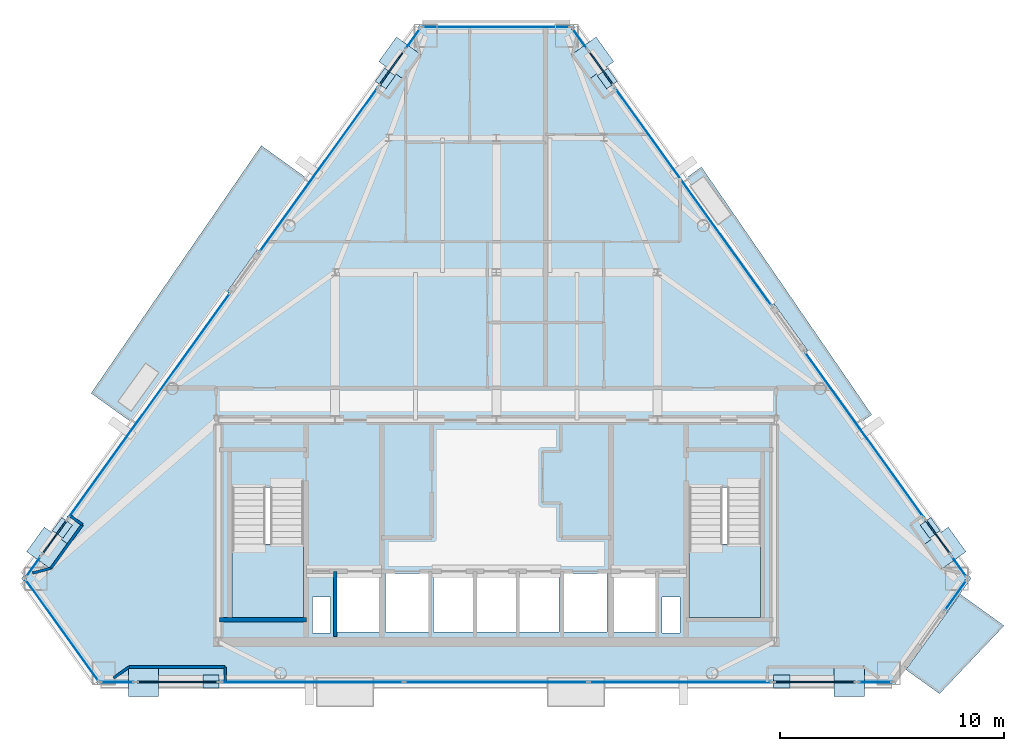
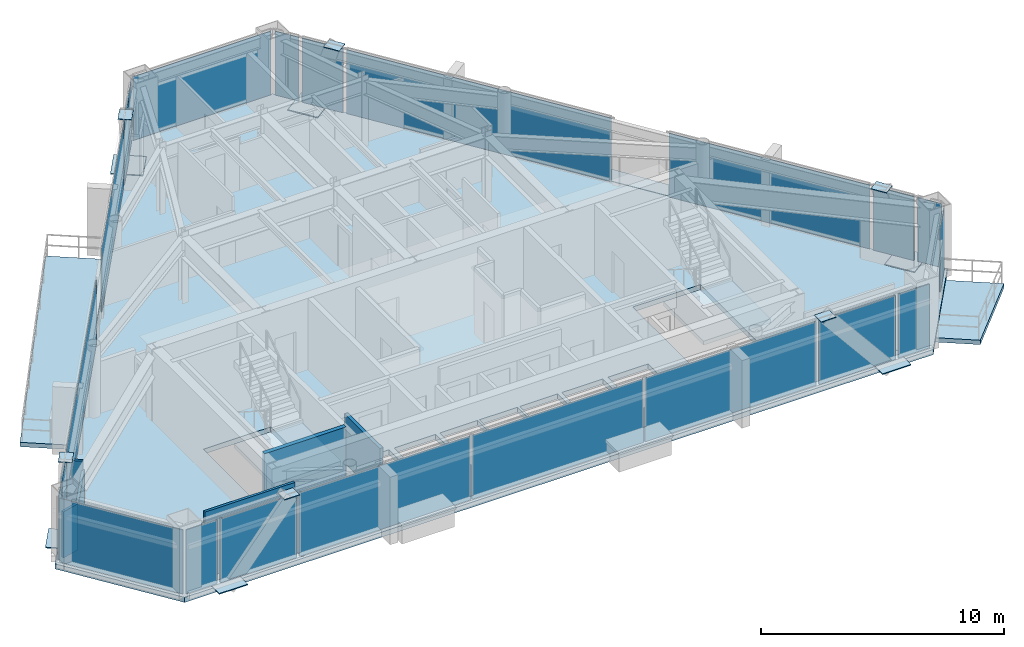
# One storey, part 6 of 11: 34 plates, 8 walls, 6 slabs, 22 elements without a shape of their own.
"""IFC4 building model written with IfcOpenShell, lengths in metres."""

import ifcopenshell
import ifcopenshell.guid

model = None  # the IFC model being written
_history = None  # IfcOwnerHistory: only IFC2X3 demands one
_inside = {}  # id of a spatial element -> (the spatial element, [elements in it])
_under = {}  # id of a project, library or spatial element -> (it, [spatial elements below it])
_declared = {}  # id of a project -> (the project, [libraries it declares])
_typed = {}  # id of a type object -> (the type object, [elements of that type])
_made_of = {}  # id of a material, layer set ... -> (it, [elements and type objects made of it])


def new_model(schema):
    """Start an empty IFC model of exactly this schema.

    Asked for "IFC4X3", IfcOpenShell would pick the latest addendum, in which some entities
    have other attributes; the version numbers below select the first issue.
    IFC2X3 requires an IfcOwnerHistory on every rooted entity: one is made here for all.
    """
    global model, _history
    if schema == "IFC4X3":
        model = ifcopenshell.file(schema_version=(4, 3, 0, 0))
    else:
        model = ifcopenshell.file(schema=schema)
    _inside.clear()
    _under.clear()
    _declared.clear()
    _typed.clear()
    _made_of.clear()
    _history = None
    if model.schema == "IFC2X3":
        org = make("IfcOrganization", Name="unknown")
        user = make(
            "IfcPersonAndOrganization",
            ThePerson=make("IfcPerson", FamilyName="unknown"),
            TheOrganization=org,
        )
        app = make(
            "IfcApplication",
            ApplicationDeveloper=org,
            Version="unknown",
            ApplicationFullName="unknown",
            ApplicationIdentifier="unknown",
        )
        _history = make(
            "IfcOwnerHistory",
            OwningUser=user,
            OwningApplication=app,
            ChangeAction="ADDED",
            CreationDate=0,
        )
    return model


def make(cls, **values):
    """One entity of the class cls with the attributes given. An attribute that is None is left unset."""
    return model.create_entity(
        cls, **{name: value for name, value in values.items() if value is not None}
    )


def rooted(cls, **values):
    """An entity with a GlobalId (a new one), such as an element, a storey or a relation."""
    return make(cls, GlobalId=ifcopenshell.guid.new(), OwnerHistory=_history, **values)


def si_unit(unit_type, name, prefix=None):
    """IfcSIUnit, for example si_unit("LENGTHUNIT", "METRE", prefix="MILLI")."""
    return make("IfcSIUnit", UnitType=unit_type, Prefix=prefix, Name=name)


def assignment(units):
    """IfcUnitAssignment: the units of a project."""
    return None if units is None else make("IfcUnitAssignment", Units=units)


def point(xyz):
    """IfcCartesianPoint."""
    return None if xyz is None else make("IfcCartesianPoint", Coordinates=xyz)


def direction(xyz):
    """IfcDirection."""
    return None if xyz is None else make("IfcDirection", DirectionRatios=xyz)


def frame(location, z_axis=None, x_axis=None):
    """IfcAxis2Placement3D, a coordinate frame: its origin and axes. An axis left out is left unset."""
    return make(
        "IfcAxis2Placement3D",
        Location=point(location),
        Axis=direction(z_axis),
        RefDirection=direction(x_axis),
    )


def frame_2d(location, x_axis=None):
    """IfcAxis2Placement2D, a coordinate frame in the plane: its origin and x axis."""
    return make(
        "IfcAxis2Placement2D", Location=point(location), RefDirection=direction(x_axis)
    )


def origin():
    """The frame at (0, 0, 0) with its axes left unset."""
    return frame((0.0, 0.0, 0.0))


def origin_2d():
    """The frame at (0, 0) in the plane with its x axis left unset."""
    return frame_2d((0.0, 0.0))


def place(relative_to, where):
    """IfcLocalPlacement: puts the frame where relative to a parent placement (None: the world)."""
    return make(
        "IfcLocalPlacement", PlacementRelTo=relative_to, RelativePlacement=where
    )


def context(
    kind, dimensions, precision=None, world=None, true_north=None, identifier=None
):
    """IfcGeometricRepresentationContext, for example the 3D "Model" context."""
    return make(
        "IfcGeometricRepresentationContext",
        ContextIdentifier=identifier,
        ContextType=kind,
        CoordinateSpaceDimension=dimensions,
        Precision=precision,
        WorldCoordinateSystem=world,
        TrueNorth=true_north,
    )


def subcontext(parent, identifier, kind, view, scale=None):
    """IfcGeometricRepresentationSubContext, for example "Body" below "Model"."""
    return make(
        "IfcGeometricRepresentationSubContext",
        ContextIdentifier=identifier,
        ContextType=kind,
        ParentContext=parent,
        TargetScale=scale,
        TargetView=view,
    )


def project(units=None, contexts=None):
    """IfcProject with its units and contexts."""
    return rooted(
        "IfcProject",
        Name="project",
        RepresentationContexts=contexts,
        UnitsInContext=assignment(units),
    )


def spatial(cls, under=None, at=None, **own):
    """A site, building, storey or space (cls), placed at a placement, below another one or the project."""
    s = rooted(cls, ObjectPlacement=at, **own)
    if under is not None:
        _under.setdefault(under.id(), (under, []))[1].append(s)
    return s


def polyline(points):
    """IfcPolyline through the points."""
    return make("IfcPolyline", Points=[point(p) for p in points])


def profile(cls, at=None, kind="AREA", **sizes):
    """A parametric profile (cls). Its sizes go by their IFC names, for example OverallWidth=200.0."""
    return make(cls, ProfileType=kind, Position=at, **sizes)


def rectangle(**sizes):
    """IfcRectangleProfileDef."""
    return profile("IfcRectangleProfileDef", **sizes)


def outline(outer, holes=None, kind="AREA"):
    """IfcArbitraryClosedProfileDef: a profile drawn as a closed curve; with holes, ...WithVoids."""
    if holes is None:
        return make("IfcArbitraryClosedProfileDef", ProfileType=kind, OuterCurve=outer)
    return make(
        "IfcArbitraryProfileDefWithVoids",
        ProfileType=kind,
        OuterCurve=outer,
        InnerCurves=holes,
    )


def extrude(swept, where, along, depth):
    """IfcExtrudedAreaSolid: the profile swept, set in the frame where, extruded along a direction by depth."""
    return make(
        "IfcExtrudedAreaSolid",
        SweptArea=swept,
        Position=where,
        ExtrudedDirection=direction(along),
        Depth=depth,
    )


def shape(context_of_items, identifier, shape_type, items):
    """IfcShapeRepresentation: the items that make up one representation, for example the "Body"."""
    return make(
        "IfcShapeRepresentation",
        ContextOfItems=context_of_items,
        RepresentationIdentifier=identifier,
        RepresentationType=shape_type,
        Items=items,
    )


def source(mapping_origin, context_of_items, identifier, shape_type, items):
    """IfcRepresentationMap: a shape defined once, which mapped items show again and again."""
    return make(
        "IfcRepresentationMap",
        MappingOrigin=mapping_origin,
        MappedRepresentation=shape(context_of_items, identifier, shape_type, items),
    )


def transform(
    local_origin,
    x_axis=None,
    y_axis=None,
    z_axis=None,
    scale=None,
    scale2=None,
    scale3=None,
    uniform=True,
):
    """IfcCartesianTransformationOperator3D, or its non-uniform kind. x_axis, y_axis, z_axis: its Axis1, 2, 3."""
    if uniform:
        return make(
            "IfcCartesianTransformationOperator3D",
            Axis1=direction(x_axis),
            Axis2=direction(y_axis),
            LocalOrigin=point(local_origin),
            Scale=scale,
            Axis3=direction(z_axis),
        )
    return make(
        "IfcCartesianTransformationOperator3DnonUniform",
        Axis1=direction(x_axis),
        Axis2=direction(y_axis),
        LocalOrigin=point(local_origin),
        Scale=scale,
        Axis3=direction(z_axis),
        Scale2=scale2,
        Scale3=scale3,
    )


def mapped(mapping_source, mapping_target):
    """IfcMappedItem: shows the shape of a source again, moved by a transform."""
    return make(
        "IfcMappedItem", MappingSource=mapping_source, MappingTarget=mapping_target
    )


def material(Name=None, Category=None):
    """IfcMaterial."""
    return make("IfcMaterial", Name=Name, Category=Category)


def layer(
    of_material, thickness, ventilated=None, Name=None, Category=None, Priority=None
):
    """IfcMaterialLayer: one layer of a wall or slab, of a material (None: an air gap)."""
    return make(
        "IfcMaterialLayer",
        Material=of_material,
        LayerThickness=thickness,
        IsVentilated=ventilated,
        Name=Name,
        Category=Category,
        Priority=Priority,
    )


def layer_set(layers, Name=None):
    """IfcMaterialLayerSet."""
    return make("IfcMaterialLayerSet", MaterialLayers=layers, LayerSetName=Name)


def made_of(thing, what):
    """Note that an element or type object is made of a material, layer set ...; save() writes the relation."""
    if what is not None:
        _made_of.setdefault(what.id(), (what, []))[1].append(thing)
    return thing


def type_object(cls, material=None, **own):
    """A type object (cls), such as IfcWallType, which elements share."""
    return made_of(rooted(cls, **own), material)


def type_shapes(of_type, sources):
    """Give a type object the sources (RepresentationMaps) that its elements show as mapped items."""
    of_type.RepresentationMaps = sources


def element(
    cls,
    number,
    at=None,
    inside=None,
    cuts=None,
    type_object=None,
    material=None,
    context=None,
    identifier="Body",
    shape_type=None,
    held_by="IfcProductDefinitionShape",
    body=None,
    shapes=None,
    **own,
):
    """One element of the class cls, such as IfcWall. Its Tag is "e" and its number.

    at: its placement. inside: the storey or other place that contains it. cuts: it is an
    opening in that element (IfcRelVoidsElement). A single representation is given by context,
    identifier, shape_type and body (its items); several are given by shapes. held_by: the class
    of the entity that holds the representations. save() writes the other relations.
    """
    e = rooted(cls, Tag="e%d" % number, ObjectPlacement=at, **own)
    if body is not None:
        shapes = [shape(context, identifier, shape_type, body)]
    if shapes is not None:
        e.Representation = make(held_by, Representations=shapes)
    if inside is not None:
        _inside.setdefault(inside.id(), (inside, []))[1].append(e)
    if cuts is not None:
        rooted(
            "IfcRelVoidsElement", RelatingBuildingElement=cuts, RelatedOpeningElement=e
        )
    if type_object is not None:
        _typed.setdefault(type_object.id(), (type_object, []))[1].append(e)
    return made_of(e, material)


def aggregate(whole, parts):
    """IfcRelAggregates: a whole, such as a stair, and the parts it consists of."""
    return rooted("IfcRelAggregates", RelatingObject=whole, RelatedObjects=parts)


def save(model, path):
    """Write the relations noted so far, then the file.

    IfcRelAggregates (storeys below a building ...), IfcRelContainedInSpatialStructure (elements
    in a storey), IfcRelDefinesByType, IfcRelAssociatesMaterial and IfcRelDeclares: one each for
    every whole, place, type object, material and project.
    """
    for whole, parts in _under.values():
        aggregate(whole, parts)
    for where, things in _inside.values():
        rooted(
            "IfcRelContainedInSpatialStructure",
            RelatedElements=things,
            RelatingStructure=where,
        )
    for kind, things in _typed.values():
        rooted("IfcRelDefinesByType", RelatedObjects=things, RelatingType=kind)
    for what, things in _made_of.values():
        rooted("IfcRelAssociatesMaterial", RelatedObjects=things, RelatingMaterial=what)
    for by, libraries in _declared.values():
        rooted("IfcRelDeclares", RelatingContext=by, RelatedDefinitions=libraries)
    model.write(path)


model = new_model("IFC4")

# Units and contexts
model_context = context("Model", 3, precision=1e-05, world=origin(), true_north=direction((0.0, 1.0)))
body_context = subcontext(model_context, "Body", "Model", "MODEL_VIEW")
ifc_project = project(units=[si_unit("LENGTHUNIT", "METRE"), si_unit("AREAUNIT", "SQUARE_METRE"), si_unit("VOLUMEUNIT", "CUBIC_METRE"), si_unit("PLANEANGLEUNIT", "RADIAN"), si_unit("MASSUNIT", "GRAM", prefix="KILO")], contexts=[model_context])

# Site, building, storey
site_placement = place(None, origin())
site = spatial("IfcSite", under=ifc_project, at=site_placement, CompositionType="ELEMENT")
building_placement = place(site_placement, origin())
building = spatial("IfcBuilding", under=site, at=building_placement, Name="Talgorran Terracotta Tower", CompositionType="ELEMENT")
storey_placement = place(building_placement, frame((0.0, 0.0, 207.300048828125)))
storey = spatial("IfcBuildingStorey", under=building, at=storey_placement, Name="L54", CompositionType="ELEMENT", Elevation=207.300048828125)

# Plates
ifc_material_1 = material(Name="Steel Grade 350 (350L0)", Category="steel")
ifc_layer_1 = layer(ifc_material_1, 0.031982421875, Name="PL_CAP_MN07")
ifc_layer_set_1 = layer_set([ifc_layer_1], Name="Steel Grade 350 (350L0)")
plate_type_1 = type_object("IfcPlateType", Name="PL_CAP_MN07", PredefinedType="USERDEFINED", material=ifc_layer_set_1)
for number, where, z_axis, x_axis, name in (
    (1, (-12.740478515625, -15.856689453125, 3.31884765625), (0.0, 0.0, 1.0), (1.0, 0.0, 0.0), "L54 Diagonal Frame End Cap SWF Top"),
    (2, (12.740478515625, -15.856689453125, 3.31884765625), (0.0, 0.0, 1.0), (-1.0, 0.0, 0.0), "L54 Diagonal Frame End Cap SEF Top"),
    (3, (19.36669921875, -9.00830078125, 3.31884765625), (0.0, 0.0, 1.0), (-0.583541211356, 0.812083526892, 0.0), "L54 Diagonal Frame End Cap NEL Top"),
    (4, (4.9541015625, 11.04833984375, 3.31884765625), (0.0, 0.0, 1.0), (0.583682937781, -0.811981667369, 0.0), "L54 Diagonal Frame End Cap NEU Top"),
    (5, (-4.9541015625, 11.04833984375, 3.31884765625), (0.0, 0.0, 1.0), (-0.583682937781, -0.811981667369, 0.0), "L54 Diagonal Frame End Cap NWU Top"),
    (6, (-19.36669921875, -9.00830078125, 3.31884765625), (0.0, 0.0, 1.0), (0.583682937781, 0.811981667369, 0.0), "L54 Diagonal Frame End Cap NWL Top"),
):
    element("IfcPlate", number, at=place(storey_placement, frame(where, z_axis=z_axis, x_axis=x_axis)), inside=storey, type_object=plate_type_1, Name=name, ObjectType="CAP PLATE", PredefinedType="USERDEFINED", context=body_context, shape_type="SweptSolid", body=[
        extrude(rectangle(XDim=0.719970703125, YDim=0.580078125, at=origin_2d()), origin(), (0.0, 0.0, 1.0), 0.031982421875),
    ])
ifc_layer_2 = layer(ifc_material_1, 0.050048828125, Name="PL_NODE_MN03")
ifc_layer_set_2 = layer_set([ifc_layer_2], Name="Steel Grade 350 (350L0)")
plate_type_2 = type_object("IfcPlateType", Name="PL_NODE_MN03", PredefinedType="USERDEFINED", material=ifc_layer_set_2)
for number, where, z_axis, x_axis, name in (
    (7, (-15.748779296875, -15.856689453125, -0.01513671875), (0.0, 0.0, 1.0), (1.0, 0.0, 0.0), "L54 Diagonal Frame End Cap SWF Bot"),
    (8, (15.748779296875, -15.856689453125, -0.01513671875), (0.0, 0.0, 1.0), (-1.0, 0.0, 0.0), "L54 Diagonal Frame End Cap SEF Bot"),
    (9, (20.020263671875, -9.917724609375, -0.01513671875), (0.0, 0.0, 1.0), (-0.583541211356, 0.812083526892, 0.0), "L54 Diagonal Frame End Cap NEL Bot"),
    (10, (4.300537109375, 11.957763671875, -0.01513671875), (0.0, 0.0, 1.0), (0.583682937781, -0.811981667369, 0.0), "L54 Diagonal Frame End Cap NEU Bot"),
    (11, (-4.300537109375, 11.957763671875, -0.01513671875), (0.0, 0.0, 1.0), (-0.583682937781, -0.811981667369, 0.0), "L54 Diagonal Frame End Cap NWU Bot"),
    (12, (-20.020263671875, -9.917724609375, -0.01513671875), (0.0, 0.0, 1.0), (0.583682937781, 0.811981667369, 0.0), "L54 Diagonal Frame End Cap NWL Bot"),
):
    element("IfcPlate", number, at=place(storey_placement, frame(where, z_axis=z_axis, x_axis=x_axis)), inside=storey, type_object=plate_type_2, Name=name, ObjectType="NODE PLATE", PredefinedType="USERDEFINED", context=body_context, shape_type="SweptSolid", body=[
        extrude(rectangle(XDim=1.35009765625, YDim=1.35009765625, at=origin_2d()), origin(), (0.0, 0.0, 1.0), 0.050048828125),
    ])

# Slabs
ifc_material_2 = material(Name="Concrete C40/50", Category="concrete")
ifc_layer_3 = layer(ifc_material_2, 0.219970703125, Name="SL_BALCONY_220")
ifc_layer_set_3 = layer_set([ifc_layer_3], Name="Concrete C40/50")
slab_type_1 = type_object("IfcSlabType", Name="SL_BALCONY_220", PredefinedType="FLOOR", material=ifc_layer_set_3)
slab_1_placement = place(storey_placement, frame((0.0, 0.0, -0.219970703125)))
element("IfcSlab", 13, at=slab_1_placement, inside=storey, type_object=slab_type_1, Name="L54 Outdoor Wave Balcony BAL-NE", PredefinedType="FLOOR", context=body_context, shape_type="SweptSolid", body=[
    extrude(outline(polyline([(8.401123046875, 6.551513671875), (16.22314453125, -4.333984375), (16.7509765625, -3.95458984375), (9.15869140625, 7.095703125), (8.401123046875, 6.551513671875)])), origin(), (0.0, 0.0, 1.0), 0.219970703125),
])
slab_2_placement = place(storey_placement, frame((0.0, 0.0, -0.219970703125)))
element("IfcSlab", 14, at=slab_2_placement, inside=storey, type_object=slab_type_1, Name="L54 Outdoor Wave Balcony BAL-NW", PredefinedType="FLOOR", context=body_context, shape_type="SweptSolid", body=[
    extrude(outline(polyline([(-16.22314453125, -4.333740234375), (-8.401123046875, 6.55126953125), (-10.48828125, 8.05126953125), (-18.080810546875, -2.9990234375), (-16.22314453125, -4.333740234375)])), origin(), (0.0, 0.0, 1.0), 0.219970703125),
])
slab_3_placement = place(storey_placement, frame((0.0, 0.0, -0.219970703125)))
element("IfcSlab", 15, at=slab_3_placement, inside=storey, type_object=slab_type_1, Name="L54 Outdoor Wave Balcony BAL-SE", PredefinedType="FLOOR", context=body_context, shape_type="SweptSolid", body=[
    extrude(outline(polyline([(20.704833984375, -11.968505859375), (18.28564453125, -15.335205078125), (19.781982421875, -16.41064453125), (22.66064453125, -13.3740234375), (20.704833984375, -11.968505859375)])), origin(), (0.0, 0.0, 1.0), 0.219970703125),
])

# Stair, slab
stair_type = type_object("IfcStairType", Name="ST_FIRE_SCISSOR", PredefinedType="HALF_TURN_STAIR", material=ifc_material_2)
stair_1_placement = place(storey_placement, origin())
stair_1 = element("IfcStair", 16, at=stair_1_placement, inside=storey, type_object=stair_type, Name="L54 West Protected Fire Stair ST-01", PredefinedType="HALF_TURN_STAIR")
ifc_layer_4 = layer(ifc_material_2, 0.199951171875, Name="SL_LANDING_200")
ifc_layer_set_4 = layer_set([ifc_layer_4], Name="Concrete C40/50")
slab_type_2 = type_object("IfcSlabType", Name="SL_LANDING_200", PredefinedType="LANDING", material=ifc_layer_set_4)
slab_4_placement = place(storey_placement, frame((0.0, 0.0, 1.599853515625)))
slab_4 = element("IfcSlab", 17, at=slab_4_placement, type_object=slab_type_2, Name="ST-01 landing 1", PredefinedType="LANDING", context=body_context, shape_type="SweptSolid", body=[
    extrude(outline(polyline([(-11.800048828125, -9.719970703125), (-11.800048828125, -13.0), (-8.60009765625, -13.0), (-8.60009765625, -9.719970703125), (-11.800048828125, -9.719970703125)])), origin(), (0.0, 0.0, 1.0), 0.2001953125),
])
aggregate(stair_1, [slab_4])

stair_2_placement = place(storey_placement, origin())
stair_2 = element("IfcStair", 18, at=stair_2_placement, inside=storey, type_object=stair_type, Name="L54 East Protected Fire Stair ST-02", PredefinedType="HALF_TURN_STAIR")
slab_5_placement = place(storey_placement, frame((0.0, 0.0, 1.599853515625)))
slab_5 = element("IfcSlab", 19, at=slab_5_placement, type_object=slab_type_2, Name="ST-02 landing 1", PredefinedType="LANDING", context=body_context, shape_type="SweptSolid", body=[
    extrude(outline(polyline([(8.60009765625, -9.719970703125), (8.60009765625, -13.0), (11.800048828125, -13.0), (11.800048828125, -9.719970703125), (8.60009765625, -9.719970703125)])), origin(), (0.0, 0.0, 1.0), 0.2001953125),
])
aggregate(stair_2, [slab_5])

# Slab
ifc_layer_5 = layer(ifc_material_2, 0.2548828125, Name="SL_TOWER_235")
ifc_layer_set_5 = layer_set([ifc_layer_5], Name="Concrete C40/50")
slab_type_3 = type_object("IfcSlabType", Name="SL_TOWER_235", PredefinedType="FLOOR", material=ifc_layer_set_5)
slab_6_placement = place(storey_placement, frame((0.0, 0.0, -0.255126953125)))
element("IfcSlab", 20, at=slab_6_placement, inside=storey, type_object=slab_type_3, Name="Storey L54 Structural Floor Slab", PredefinedType="FLOOR", context=body_context, shape_type="SweptSolid", body=[
    extrude(outline(polyline([(-21.188720703125, -11.26953125), (-17.77734375, -16.0166015625), (17.77734375, -16.0166015625), (21.188720703125, -11.26953125), (3.411376953125, 13.469482421875), (-3.411376953125, 13.469482421875), (-21.188720703125, -11.26953125)]), holes=[polyline([(-11.800048828125, -7.199951171875), (-11.800048828125, -13.0), (-8.60009765625, -13.0), (-8.60009765625, -7.199951171875), (-11.800048828125, -7.199951171875)]), polyline([(8.60009765625, -7.199951171875), (8.60009765625, -13.0), (11.800048828125, -13.0), (11.800048828125, -7.199951171875), (8.60009765625, -7.199951171875)]), polyline([(-7.10009765625, -13.64990234375), (-5.199951171875, -13.64990234375), (-5.199951171875, -11.050048828125), (-7.10009765625, -11.050048828125), (-7.10009765625, -13.64990234375)]), polyline([(5.199951171875, -13.64990234375), (7.10009765625, -13.64990234375), (7.10009765625, -11.050048828125), (5.199951171875, -11.050048828125), (5.199951171875, -13.64990234375)]), polyline([(3.0, -13.64990234375), (4.949951171875, -13.64990234375), (4.949951171875, -11.050048828125), (3.0, -11.050048828125), (3.0, -13.64990234375)]), polyline([(-4.949951171875, -13.64990234375), (-3.0, -13.64990234375), (-3.0, -11.050048828125), (-4.949951171875, -11.050048828125), (-4.949951171875, -13.64990234375)]), polyline([(-2.800048828125, -13.64990234375), (-1.0, -13.64990234375), (-1.0, -11.050048828125), (-2.800048828125, -11.050048828125), (-2.800048828125, -13.64990234375)]), polyline([(-0.89990234375, -13.64990234375), (0.89990234375, -13.64990234375), (0.89990234375, -11.050048828125), (-0.89990234375, -11.050048828125), (-0.89990234375, -13.64990234375)]), polyline([(1.0, -13.64990234375), (2.800048828125, -13.64990234375), (2.800048828125, -11.050048828125), (1.0, -11.050048828125), (1.0, -13.64990234375)]), polyline([(-8.199951171875, -13.699951171875), (-7.39990234375, -13.699951171875), (-7.39990234375, -12.10009765625), (-8.199951171875, -12.10009765625), (-8.199951171875, -13.699951171875)]), polyline([(7.39990234375, -13.699951171875), (8.199951171875, -13.699951171875), (8.199951171875, -12.10009765625), (7.39990234375, -12.10009765625), (7.39990234375, -13.699951171875)])]), origin(), (0.0, 0.0, 1.0), 0.255126953125),
])

# Curtain wall, plate
ifc_material_3 = material(Name="High-Wind Unitised Glazing", Category="glass")
ifc_layer_6 = layer(ifc_material_3, 0.2099609375, Name="CW_SYS3_RES_HIGH")
ifc_layer_set_6 = layer_set([ifc_layer_6], Name="High-Wind Unitised Glazing")
curtain_wall_type = type_object("IfcCurtainWallType", Name="CW_SYS3_RES_HIGH", PredefinedType="NOTDEFINED", material=ifc_layer_set_6)
curtain_wall_1_placement = place(storey_placement, origin())
curtain_wall_1 = element("IfcCurtainWall", 21, at=curtain_wall_1_placement, inside=storey, type_object=curtain_wall_type, Name="CW-L54-F31", PredefinedType="NOTDEFINED")
ifc_material_4 = material(Name="High-Wind Acoustic Vision Glass", Category="glass")
ifc_layer_7 = layer(ifc_material_4, 0.031982421875, Name="PLT_VISION_32")
ifc_layer_set_7 = layer_set([ifc_layer_7], Name="High-Wind Acoustic Vision Glass")
plate_type_3 = type_object("IfcPlateType", Name="PLT_VISION_32", PredefinedType="CURTAIN_PANEL", material=ifc_layer_set_7)
shared_shape_1 = source(origin(), body_context, "Body", "SweptSolid", [
    extrude(rectangle(XDim=1.634765625, YDim=0.031982421875, at=origin_2d()), origin(), (0.0, 0.0, 1.0), 3.205078125),
])
plate_1_placement = place(storey_placement, frame((20.499755859375, -12.022705078125, 0.06982421875), z_axis=(0.0, 0.0, 1.0), x_axis=(0.583575673219, 0.812058762422, 0.0)))
plate_1 = element("IfcPlate", 22, at=plate_1_placement, type_object=plate_type_3, Name="CW-L54-31 panel 1.1", PredefinedType="CURTAIN_PANEL", context=body_context, shape_type="MappedRepresentation", body=[
    mapped(shared_shape_1, transform((0.0, 0.0, 0.0), scale=1.0)),
])
aggregate(curtain_wall_1, [plate_1])

curtain_wall_2_placement = place(storey_placement, origin())
curtain_wall_2 = element("IfcCurtainWall", 23, at=curtain_wall_2_placement, inside=storey, type_object=curtain_wall_type, Name="CW-L54-F0", PredefinedType="NOTDEFINED")
shared_shape_2 = source(origin(), body_context, "Body", "SweptSolid", [
    extrude(rectangle(XDim=5.557861328125, YDim=0.031982421875, at=origin_2d()), origin(), (0.0, 0.0, 1.0), 3.205078125),
])
plate_2_placement = place(storey_placement, frame((-19.37841796875, -13.583251953125, 0.06982421875), z_axis=(0.0, 0.0, 1.0), x_axis=(0.58355178486, -0.812075928954, 0.0)))
plate_2 = element("IfcPlate", 24, at=plate_2_placement, type_object=plate_type_3, Name="CW-L54-0 panel 1.1", PredefinedType="CURTAIN_PANEL", context=body_context, shape_type="MappedRepresentation", body=[
    mapped(shared_shape_2, transform((0.0, 0.0, 0.0), scale=1.0)),
])
aggregate(curtain_wall_2, [plate_2])

curtain_wall_3_placement = place(storey_placement, origin())
curtain_wall_3 = element("IfcCurtainWall", 25, at=curtain_wall_3_placement, inside=storey, type_object=curtain_wall_type, Name="CW-L54-F4", PredefinedType="NOTDEFINED")
shared_shape_3 = source(origin(), body_context, "Body", "SweptSolid", [
    extrude(rectangle(XDim=6.5595703125, YDim=0.031982421875, at=origin_2d()), origin(), (0.0, 0.0, 1.0), 3.205078125),
])
plate_3_placement = place(storey_placement, frame((0.0, 13.349609375, 0.06982421875), z_axis=(0.0, 0.0, 1.0), x_axis=(-1.0, 0.0, 0.0)))
plate_3 = element("IfcPlate", 26, at=plate_3_placement, type_object=plate_type_3, Name="CW-L54-4 panel 1.1", PredefinedType="CURTAIN_PANEL", context=body_context, shape_type="MappedRepresentation", body=[
    mapped(shared_shape_3, transform((0.0, 0.0, 0.0), scale=1.0)),
])
aggregate(curtain_wall_3, [plate_3])

curtain_wall_4_placement = place(storey_placement, origin())
curtain_wall_4 = element("IfcCurtainWall", 27, at=curtain_wall_4_placement, inside=storey, type_object=curtain_wall_type, Name="CW-L54-F1", PredefinedType="NOTDEFINED")
shared_shape_4 = source(origin(), body_context, "Body", "SweptSolid", [
    extrude(rectangle(XDim=1.47119140625, YDim=0.031982421875, at=origin_2d()), origin(), (0.0, 0.0, 1.0), 3.205078125),
])
plate_4_placement = place(storey_placement, frame((-16.910400390625, -15.896728515625, 0.06982421875), z_axis=(0.0, 0.0, 1.0), x_axis=(1.0, 0.0, 0.0)))
plate_4 = element("IfcPlate", 28, at=plate_4_placement, type_object=plate_type_3, Name="CW-L54-1 panel 1.1", PredefinedType="CURTAIN_PANEL", context=body_context, shape_type="MappedRepresentation", body=[
    mapped(shared_shape_4, transform((0.0, 0.0, 0.0), scale=1.0)),
])
aggregate(curtain_wall_4, [plate_4])

curtain_wall_5_placement = place(storey_placement, origin())
curtain_wall_5 = element("IfcCurtainWall", 29, at=curtain_wall_5_placement, inside=storey, type_object=curtain_wall_type, Name="CW-L54-F1E", PredefinedType="NOTDEFINED")
plate_5_placement = place(storey_placement, frame((16.910400390625, -15.896728515625, 0.06982421875), z_axis=(0.0, 0.0, 1.0), x_axis=(1.0, 0.0, 0.0)))
plate_5 = element("IfcPlate", 30, at=plate_5_placement, type_object=plate_type_3, Name="CW-L54-1E panel 1.1", PredefinedType="CURTAIN_PANEL", context=body_context, shape_type="MappedRepresentation", body=[
    mapped(shared_shape_4, transform((0.0, 0.0, 0.0), scale=1.0)),
])
aggregate(curtain_wall_5, [plate_5])

curtain_wall_6_placement = place(storey_placement, origin())
curtain_wall_6 = element("IfcCurtainWall", 31, at=curtain_wall_6_placement, inside=storey, type_object=curtain_wall_type, Name="CW-L54-F1B", PredefinedType="NOTDEFINED")
ifc_material_5 = material(Name="Terracotta Insulated Spandrel", Category="masonry")
ifc_layer_8 = layer(ifc_material_5, 0.06494140625, Name="PLT_SPANDREL_TERRA")
ifc_layer_set_8 = layer_set([ifc_layer_8], Name="Terracotta Insulated Spandrel")
plate_type_4 = type_object("IfcPlateType", Name="PLT_SPANDREL_TERRA", PredefinedType="SHEET", material=ifc_layer_set_8)
shared_shape_5 = source(origin(), body_context, "Body", "SweptSolid", [
    extrude(rectangle(XDim=3.613525390625, YDim=0.06494140625, at=origin_2d()), origin(), (0.0, 0.0, 1.0), 3.205078125),
])
plate_6_placement = place(storey_placement, frame((-14.218017578125, -15.896728515625, 0.06982421875), z_axis=(0.0, 0.0, 1.0), x_axis=(1.0, 0.0, 0.0)))
plate_6 = element("IfcPlate", 32, at=plate_6_placement, type_object=plate_type_4, Name="CW-L54-1B panel 1.1", PredefinedType="CURTAIN_PANEL", context=body_context, shape_type="MappedRepresentation", body=[
    mapped(shared_shape_5, transform((0.0, 0.0, 0.0), scale=1.0)),
])
aggregate(curtain_wall_6, [plate_6])

curtain_wall_7_placement = place(storey_placement, origin())
curtain_wall_7 = element("IfcCurtainWall", 33, at=curtain_wall_7_placement, inside=storey, type_object=curtain_wall_type, Name="CW-L54-F1D", PredefinedType="NOTDEFINED")
plate_7_placement = place(storey_placement, frame((14.218017578125, -15.896728515625, 0.06982421875), z_axis=(0.0, 0.0, 1.0), x_axis=(1.0, 0.0, 0.0)))
plate_7 = element("IfcPlate", 34, at=plate_7_placement, type_object=plate_type_4, Name="CW-L54-1D panel 1.1", PredefinedType="CURTAIN_PANEL", context=body_context, shape_type="MappedRepresentation", body=[
    mapped(shared_shape_5, transform((0.0, 0.0, 0.0), scale=1.0)),
])
aggregate(curtain_wall_7, [plate_7])

# Curtain wall, plates
curtain_wall_8_placement = place(storey_placement, origin())
curtain_wall_8 = element("IfcCurtainWall", 35, at=curtain_wall_8_placement, inside=storey, type_object=curtain_wall_type, Name="CW-L54-F1C", PredefinedType="NOTDEFINED")
shared_shape_6 = source(origin(), body_context, "Body", "SweptSolid", [
    extrude(rectangle(XDim=8.11572265625, YDim=0.031982421875, at=origin_2d()), origin(), (0.0, 0.0, 1.0), 3.205078125),
])
plate_8_placement = place(storey_placement, frame((-8.203125, -15.896728515625, 0.06982421875), z_axis=(0.0, 0.0, 1.0), x_axis=(1.0, 0.0, 0.0)))
plate_8 = element("IfcPlate", 36, at=plate_8_placement, type_object=plate_type_3, Name="CW-L54-1C panel 1.1", PredefinedType="CURTAIN_PANEL", context=body_context, shape_type="MappedRepresentation", body=[
    mapped(shared_shape_6, transform((0.0, 0.0, 0.0), scale=1.0)),
])
plate_9_placement = place(storey_placement, frame((8.203125, -15.896728515625, 0.06982421875), z_axis=(0.0, 0.0, 1.0), x_axis=(1.0, 0.0, 0.0)))
plate_9 = element("IfcPlate", 37, at=plate_9_placement, type_object=plate_type_3, Name="CW-L54-1C panel 3.1", PredefinedType="CURTAIN_PANEL", context=body_context, shape_type="MappedRepresentation", body=[
    mapped(shared_shape_6, transform((0.0, 0.0, 0.0), scale=1.0)),
])
shared_shape_7 = source(origin(), body_context, "Body", "SweptSolid", [
    extrude(rectangle(XDim=8.150634765625, YDim=0.031982421875, at=origin_2d()), origin(), (0.0, 0.0, 1.0), 3.205078125),
])
plate_10_placement = place(storey_placement, frame((0.0, -15.896728515625, 0.06982421875), z_axis=(0.0, 0.0, 1.0), x_axis=(1.0, 0.0, 0.0)))
plate_10 = element("IfcPlate", 38, at=plate_10_placement, type_object=plate_type_3, Name="CW-L54-1C panel 2.1", PredefinedType="CURTAIN_PANEL", context=body_context, shape_type="MappedRepresentation", body=[
    mapped(shared_shape_7, transform((0.0, 0.0, 0.0), scale=1.0)),
])
aggregate(curtain_wall_8, [plate_8, plate_10, plate_9])

# Curtain wall, plate
curtain_wall_9_placement = place(storey_placement, origin())
curtain_wall_9 = element("IfcCurtainWall", 39, at=curtain_wall_9_placement, inside=storey, type_object=curtain_wall_type, Name="CW-L54-F40", PredefinedType="NOTDEFINED")
shared_shape_8 = source(origin(), body_context, "Body", "SweptSolid", [
    extrude(rectangle(XDim=1.09765625, YDim=0.031982421875, at=origin_2d()), origin(), (0.0, 0.0, 1.0), 3.205078125),
])
plate_11_placement = place(storey_placement, frame((20.656494140625, -10.734619140625, 0.06982421875), z_axis=(0.0, 0.0, 1.0), x_axis=(-0.58357444957, 0.812059641781, 0.0)))
plate_11 = element("IfcPlate", 40, at=plate_11_placement, type_object=plate_type_3, Name="CW-L54-40 panel 1.1", PredefinedType="CURTAIN_PANEL", context=body_context, shape_type="MappedRepresentation", body=[
    mapped(shared_shape_8, transform((0.0, 0.0, 0.0), scale=1.0)),
])
aggregate(curtain_wall_9, [plate_11])

curtain_wall_10_placement = place(storey_placement, origin())
curtain_wall_10 = element("IfcCurtainWall", 41, at=curtain_wall_10_placement, inside=storey, type_object=curtain_wall_type, Name="CW-L54-F61C", PredefinedType="NOTDEFINED")
plate_12_placement = place(storey_placement, frame((-20.656494140625, -10.734619140625, 0.06982421875), z_axis=(0.0, 0.0, 1.0), x_axis=(-0.583521166985, -0.812097929859, 0.0)))
plate_12 = element("IfcPlate", 42, at=plate_12_placement, type_object=plate_type_3, Name="CW-L54-61C panel 1.1", PredefinedType="CURTAIN_PANEL", context=body_context, shape_type="MappedRepresentation", body=[
    mapped(shared_shape_8, transform((0.0, 0.0, 0.0), scale=1.0)),
])
aggregate(curtain_wall_10, [plate_12])

curtain_wall_11_placement = place(storey_placement, origin())
curtain_wall_11 = element("IfcCurtainWall", 43, at=curtain_wall_11_placement, inside=storey, type_object=curtain_wall_type, Name="CW-L54-F40B", PredefinedType="NOTDEFINED")
shared_shape_9 = source(origin(), body_context, "Body", "SweptSolid", [
    extrude(rectangle(XDim=1.845947265625, YDim=0.06494140625, at=origin_2d()), origin(), (0.0, 0.0, 1.0), 3.205078125),
])
plate_13_placement = place(storey_placement, frame((19.7099609375, -9.41748046875, 0.06982421875), z_axis=(0.0, 0.0, 1.0), x_axis=(-0.583569646249, 0.812063093594, 0.0)))
plate_13 = element("IfcPlate", 44, at=plate_13_placement, type_object=plate_type_4, Name="CW-L54-40B panel 1.1", PredefinedType="CURTAIN_PANEL", context=body_context, shape_type="MappedRepresentation", body=[
    mapped(shared_shape_9, transform((0.0, 0.0, 0.0), scale=1.0)),
])
aggregate(curtain_wall_11, [plate_13])

curtain_wall_12_placement = place(storey_placement, origin())
curtain_wall_12 = element("IfcCurtainWall", 45, at=curtain_wall_12_placement, inside=storey, type_object=curtain_wall_type, Name="CW-L54-F40C", PredefinedType="NOTDEFINED")
shared_shape_10 = source(origin(), body_context, "Body", "SweptSolid", [
    extrude(rectangle(XDim=9.064697265625, YDim=0.031982421875, at=origin_2d()), origin(), (0.0, 0.0, 1.0), 3.205078125),
])
plate_14_placement = place(storey_placement, frame((16.43896484375, -4.865478515625, 0.06982421875), z_axis=(0.0, 0.0, 1.0), x_axis=(-0.583553219406, 0.812074898098, 0.0)))
plate_14 = element("IfcPlate", 46, at=plate_14_placement, type_object=plate_type_3, Name="CW-L54-40C panel 1.1", PredefinedType="CURTAIN_PANEL", context=body_context, shape_type="MappedRepresentation", body=[
    mapped(shared_shape_10, transform((0.0, 0.0, 0.0), scale=1.0)),
])
aggregate(curtain_wall_12, [plate_14])

curtain_wall_13_placement = place(storey_placement, origin())
curtain_wall_13 = element("IfcCurtainWall", 47, at=curtain_wall_13_placement, inside=storey, type_object=curtain_wall_type, Name="CW-L54-F41", PredefinedType="NOTDEFINED")
shared_shape_11 = source(origin(), body_context, "Body", "SweptSolid", [
    extrude(rectangle(XDim=11.9521484375, YDim=0.031982421875, at=origin_2d()), origin(), (0.0, 0.0, 1.0), 3.205078125),
])
plate_15_placement = place(storey_placement, frame((8.789306640625, 5.77978515625, 0.06982421875), z_axis=(0.0, 0.0, 1.0), x_axis=(-0.583549821729, 0.812077339642, 0.0)))
plate_15 = element("IfcPlate", 48, at=plate_15_placement, type_object=plate_type_3, Name="CW-L54-41 panel 1.1", PredefinedType="CURTAIN_PANEL", context=body_context, shape_type="MappedRepresentation", body=[
    mapped(shared_shape_11, transform((0.0, 0.0, 0.0), scale=1.0)),
])
aggregate(curtain_wall_13, [plate_15])

curtain_wall_14_placement = place(storey_placement, origin())
curtain_wall_14 = element("IfcCurtainWall", 49, at=curtain_wall_14_placement, inside=storey, type_object=curtain_wall_type, Name="CW-L54-F41B", PredefinedType="NOTDEFINED")
shared_shape_12 = source(origin(), body_context, "Body", "SweptSolid", [
    extrude(rectangle(XDim=1.84619140625, YDim=0.06494140625, at=origin_2d()), origin(), (0.0, 0.0, 1.0), 3.205078125),
])
type_shapes(plate_type_4, [shared_shape_5, shared_shape_9, shared_shape_12])
plate_16_placement = place(storey_placement, frame((4.67578125, 11.504150390625, 0.06982421875), z_axis=(0.0, 0.0, 1.0), x_axis=(-0.583545785812, 0.812080239793, 0.0)))
plate_16 = element("IfcPlate", 50, at=plate_16_placement, type_object=plate_type_4, Name="CW-L54-41B panel 1.1", PredefinedType="CURTAIN_PANEL", context=body_context, shape_type="MappedRepresentation", body=[
    mapped(shared_shape_12, transform((0.0, 0.0, 0.0), scale=1.0)),
])
aggregate(curtain_wall_14, [plate_16])

curtain_wall_15_placement = place(storey_placement, origin())
curtain_wall_15 = element("IfcCurtainWall", 51, at=curtain_wall_15_placement, inside=storey, type_object=curtain_wall_type, Name="CW-L54-F60B", PredefinedType="NOTDEFINED")
plate_17_placement = place(storey_placement, frame((-4.67578125, 11.504150390625, 0.06982421875), z_axis=(0.0, 0.0, 1.0), x_axis=(-0.583545785812, -0.812080239793, 0.0)))
plate_17 = element("IfcPlate", 52, at=plate_17_placement, type_object=plate_type_4, Name="CW-L54-60B panel 1.1", PredefinedType="CURTAIN_PANEL", context=body_context, shape_type="MappedRepresentation", body=[
    mapped(shared_shape_12, transform((0.0, 0.0, 0.0), scale=1.0)),
])
aggregate(curtain_wall_15, [plate_17])

curtain_wall_16_placement = place(storey_placement, origin())
curtain_wall_16 = element("IfcCurtainWall", 53, at=curtain_wall_16_placement, inside=storey, type_object=curtain_wall_type, Name="CW-L54-F61B", PredefinedType="NOTDEFINED")
plate_18_placement = place(storey_placement, frame((-19.7099609375, -9.41748046875, 0.06982421875), z_axis=(0.0, 0.0, 1.0), x_axis=(-0.583545785812, -0.812080239793, 0.0)))
plate_18 = element("IfcPlate", 54, at=plate_18_placement, type_object=plate_type_4, Name="CW-L54-61B panel 1.1", PredefinedType="CURTAIN_PANEL", context=body_context, shape_type="MappedRepresentation", body=[
    mapped(shared_shape_12, transform((0.0, 0.0, 0.0), scale=1.0)),
])
aggregate(curtain_wall_16, [plate_18])

curtain_wall_17_placement = place(storey_placement, origin())
curtain_wall_17 = element("IfcCurtainWall", 55, at=curtain_wall_17_placement, inside=storey, type_object=curtain_wall_type, Name="CW-L54-F41C", PredefinedType="NOTDEFINED")
shared_shape_13 = source(origin(), body_context, "Body", "SweptSolid", [
    extrude(rectangle(XDim=1.08935546875, YDim=0.031982421875, at=origin_2d()), origin(), (0.0, 0.0, 1.0), 3.205078125),
])
plate_19_placement = place(storey_placement, frame((3.731689453125, 12.81787109375, 0.06982421875), z_axis=(0.0, 0.0, 1.0), x_axis=(-0.583528777727, 0.812092461216, 0.0)))
plate_19 = element("IfcPlate", 56, at=plate_19_placement, type_object=plate_type_3, Name="CW-L54-41C panel 1.1", PredefinedType="CURTAIN_PANEL", context=body_context, shape_type="MappedRepresentation", body=[
    mapped(shared_shape_13, transform((0.0, 0.0, 0.0), scale=1.0)),
])
aggregate(curtain_wall_17, [plate_19])

curtain_wall_18_placement = place(storey_placement, origin())
curtain_wall_18 = element("IfcCurtainWall", 57, at=curtain_wall_18_placement, inside=storey, type_object=curtain_wall_type, Name="CW-L54-F60", PredefinedType="NOTDEFINED")
plate_20_placement = place(storey_placement, frame((-3.731689453125, 12.81787109375, 0.06982421875), z_axis=(0.0, 0.0, 1.0), x_axis=(-0.583528777727, -0.812092461216, 0.0)))
plate_20 = element("IfcPlate", 58, at=plate_20_placement, type_object=plate_type_3, Name="CW-L54-60 panel 1.1", PredefinedType="CURTAIN_PANEL", context=body_context, shape_type="MappedRepresentation", body=[
    mapped(shared_shape_13, transform((0.0, 0.0, 0.0), scale=1.0)),
])
aggregate(curtain_wall_18, [plate_20])

curtain_wall_19_placement = place(storey_placement, origin())
curtain_wall_19 = element("IfcCurtainWall", 59, at=curtain_wall_19_placement, inside=storey, type_object=curtain_wall_type, Name="CW-L54-F60C", PredefinedType="NOTDEFINED")
shared_shape_14 = source(origin(), body_context, "Body", "SweptSolid", [
    extrude(rectangle(XDim=9.00048828125, YDim=0.031982421875, at=origin_2d()), origin(), (0.0, 0.0, 1.0), 3.205078125),
])
plate_21_placement = place(storey_placement, frame((-7.92822265625, 6.978271484375, 0.06982421875), z_axis=(0.0, 0.0, 1.0), x_axis=(-0.583559174138, -0.812070619023, 0.0)))
plate_21 = element("IfcPlate", 60, at=plate_21_placement, type_object=plate_type_3, Name="CW-L54-60C panel 1.1", PredefinedType="CURTAIN_PANEL", context=body_context, shape_type="MappedRepresentation", body=[
    mapped(shared_shape_14, transform((0.0, 0.0, 0.0), scale=1.0)),
])
aggregate(curtain_wall_19, [plate_21])

curtain_wall_20_placement = place(storey_placement, origin())
curtain_wall_20 = element("IfcCurtainWall", 61, at=curtain_wall_20_placement, inside=storey, type_object=curtain_wall_type, Name="CW-L54-F61", PredefinedType="NOTDEFINED")
shared_shape_15 = source(origin(), body_context, "Body", "SweptSolid", [
    extrude(rectangle(XDim=12.316650390625, YDim=0.031982421875, at=origin_2d()), origin(), (0.0, 0.0, 1.0), 3.205078125),
])
type_shapes(plate_type_3, [shared_shape_1, shared_shape_2, shared_shape_3, shared_shape_4, shared_shape_6, shared_shape_7, shared_shape_8, shared_shape_10, shared_shape_11, shared_shape_13, shared_shape_14, shared_shape_15])
plate_22_placement = place(storey_placement, frame((-15.490234375, -3.545166015625, 0.06982421875), z_axis=(0.0, 0.0, 1.0), x_axis=(-0.583553502349, -0.812074694777, 0.0)))
plate_22 = element("IfcPlate", 62, at=plate_22_placement, type_object=plate_type_3, Name="CW-L54-61 panel 1.1", PredefinedType="CURTAIN_PANEL", context=body_context, shape_type="MappedRepresentation", body=[
    mapped(shared_shape_15, transform((0.0, 0.0, 0.0), scale=1.0)),
])
aggregate(curtain_wall_20, [plate_22])

# Walls
ifc_material_6 = material(Name="Concrete C50/60", Category="concrete")
ifc_layer_9 = layer(ifc_material_6, 0.199951171875, Name="WT_CORE_200")
ifc_layer_set_9 = layer_set([ifc_layer_9], Name="Concrete C50/60")
wall_type_1 = type_object("IfcWallType", Name="WT_CORE_200", PredefinedType="SOLIDWALL", material=ifc_layer_set_9)
wall_1_placement = place(storey_placement, frame((-12.35009765625, -13.10009765625, 0.0), z_axis=(0.0, 0.0, 1.0), x_axis=(1.0, 0.0, 0.0)))
element("IfcWall", 63, at=wall_1_placement, inside=storey, type_object=wall_type_1, Name="WL-L54-CW-ST1-S", PredefinedType="SOLIDWALL", context=body_context, shape_type="SweptSolid", body=[
    extrude(rectangle(XDim=3.8701171875, YDim=0.199951171875, at=frame_2d((1.93505859375, 0.0))), origin(), (0.0, 0.0, 1.0), 3.599853515625),
])
ifc_material_7 = material(Name="Insulated Steel Stud Plasterboard", Category="steel")
ifc_layer_10 = layer(ifc_material_7, 0.1201171875, Name="WT_PART_120")
ifc_layer_set_10 = layer_set([ifc_layer_10], Name="Insulated Steel Stud Plasterboard")
wall_type_2 = type_object("IfcWallType", Name="WT_PART_120", PredefinedType="PARTITIONING", material=ifc_layer_set_10)
wall_2_placement = place(storey_placement, frame((-16.388916015625, -15.216796875, 0.0), z_axis=(0.0, 0.0, 1.0), x_axis=(1.0, 0.0, 0.0)))
element("IfcWall", 64, at=wall_2_placement, inside=storey, type_object=wall_type_2, Name="WL-L54-BW-L54-01", PredefinedType="PARTITIONING", context=body_context, shape_type="SweptSolid", body=[
    extrude(rectangle(XDim=4.288330078125, YDim=0.1201171875, at=frame_2d((2.14404296875, 0.0))), origin(), (0.0, 0.0, 1.0), 3.344970703125),
])
wall_3_placement = place(storey_placement, frame((-18.473388671875, -8.862060546875, 0.0), z_axis=(0.0, 0.0, 1.0), x_axis=(-0.583631855745, -0.812018384619, 0.0)))
element("IfcWall", 65, at=wall_3_placement, inside=storey, type_object=wall_type_2, Name="WL-L54-BW-L54-08", PredefinedType="PARTITIONING", context=body_context, shape_type="SweptSolid", body=[
    extrude(rectangle(XDim=2.39990234375, YDim=0.1201171875, at=frame_2d((1.199951171875, 0.0))), origin(), (0.0, 0.0, 1.0), 2.320068359375),
])
wall_4_placement = place(storey_placement, frame((-17.084716796875, -15.7119140625, 0.0), z_axis=(0.0, 0.0, 1.0), x_axis=(0.814775258606, 0.579776920861, 0.0)))
element("IfcWall", 66, at=wall_4_placement, inside=storey, type_object=wall_type_2, Name="WL-L54-BW-L54-03", PredefinedType="PARTITIONING", context=body_context, shape_type="SweptSolid", body=[
    extrude(rectangle(XDim=0.85400390625, YDim=0.1201171875, at=frame_2d((0.427001953125, 0.0))), origin(), (0.0, 0.0, 1.0), 2.786865234375),
])
wall_5_placement = place(storey_placement, frame((-19.8740234375, -10.810791015625, 0.0), z_axis=(0.0, 0.0, 1.0), x_axis=(-0.967403978064, -0.253238115667, 0.0)))
element("IfcWall", 67, at=wall_5_placement, inside=storey, type_object=wall_type_2, Name="WL-L54-BW-L54-09", PredefinedType="PARTITIONING", context=body_context, shape_type="SweptSolid", body=[
    extrude(rectangle(XDim=0.852294921875, YDim=0.1201171875, at=frame_2d((0.42626953125, 0.0))), origin(), (0.0, 0.0, 1.0), 2.320068359375),
])
wall_6_placement = place(storey_placement, frame((-19.017578125, -8.470947265625, 0.0), z_axis=(0.0, 0.0, 1.0), x_axis=(0.812031557065, -0.583613528227, 0.0)))
element("IfcWall", 68, at=wall_6_placement, inside=storey, type_object=wall_type_2, Name="WL-L54-BW-L54-07", PredefinedType="PARTITIONING", context=body_context, shape_type="SweptSolid", body=[
    extrude(rectangle(XDim=0.670166015625, YDim=0.1201171875, at=frame_2d((0.3349609375, 0.0))), origin(), (0.0, 0.0, 1.0), 2.786865234375),
])
wall_7_placement = place(storey_placement, frame((-12.1005859375, -15.216796875, 0.0), z_axis=(0.0, 0.0, 1.0), x_axis=(0.0, -1.0, 0.0)))
element("IfcWall", 69, at=wall_7_placement, inside=storey, type_object=wall_type_2, Name="WL-L54-BW-L54-02", PredefinedType="PARTITIONING", context=body_context, shape_type="SweptSolid", body=[
    extrude(rectangle(XDim=0.669921875, YDim=0.1201171875, at=frame_2d((0.3349609375, 0.0))), origin(), (0.0, 0.0, 1.0), 2.786865234375),
])
ifc_material_8 = material(Name="Fire-Rated Shaftwall")
ifc_layer_11 = layer(ifc_material_8, 0.159912109375, Name="WT_PART_150")
ifc_layer_set_11 = layer_set([ifc_layer_11], Name="Fire-Rated Shaftwall")
wall_type_3 = type_object("IfcWallType", Name="WT_PART_150", PredefinedType="PARTITIONING", material=ifc_layer_set_11)
wall_8_placement = place(storey_placement, frame((-7.179931640625, -13.85009765625, 0.0), z_axis=(0.0, 0.0, 1.0), x_axis=(0.0, 1.0, 0.0)))
element("IfcWall", 70, at=wall_8_placement, inside=storey, type_object=wall_type_3, Name="WL-L54-CW-RSW", PredefinedType="PARTITIONING", context=body_context, shape_type="SweptSolid", body=[
    extrude(rectangle(XDim=2.900146484375, YDim=0.159912109375, at=frame_2d((1.4501953125, 0.0))), origin(), (0.0, 0.0, 1.0), 2.469970703125),
])

save(model, "model.ifc")
